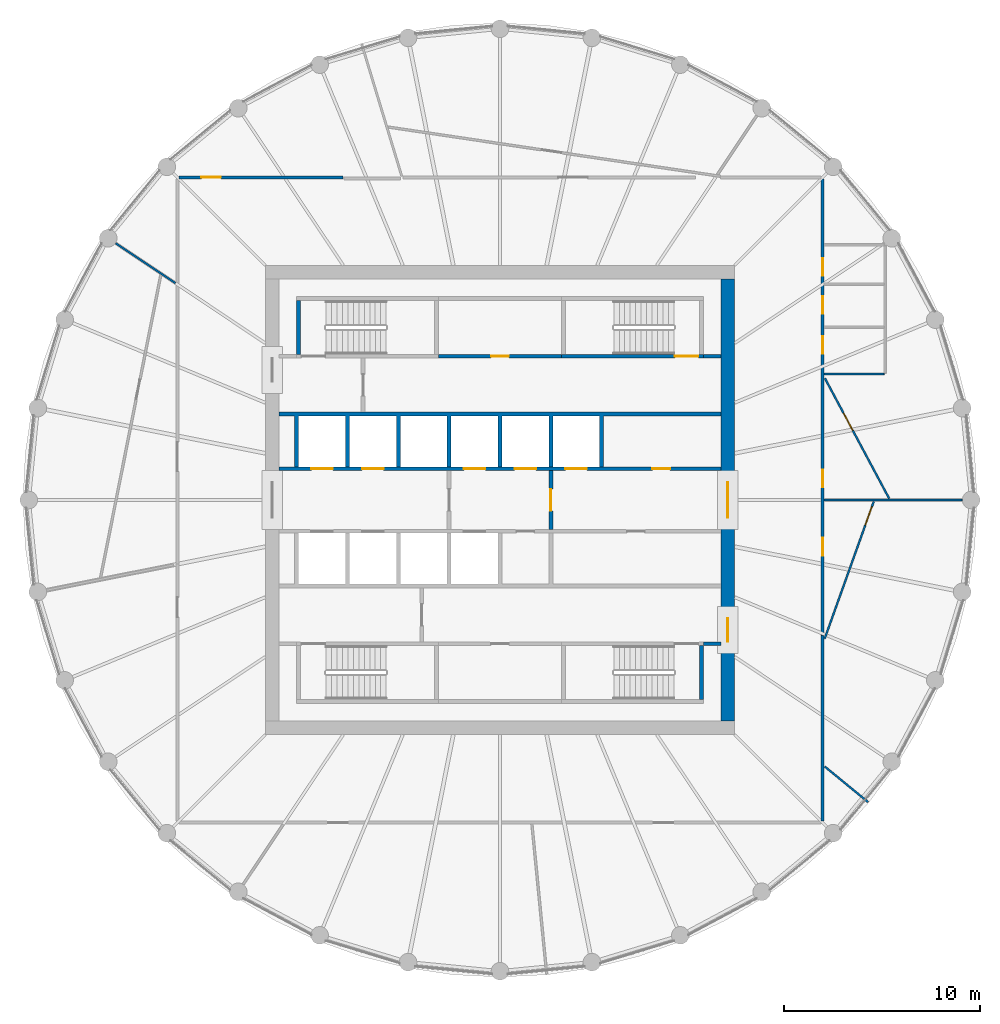
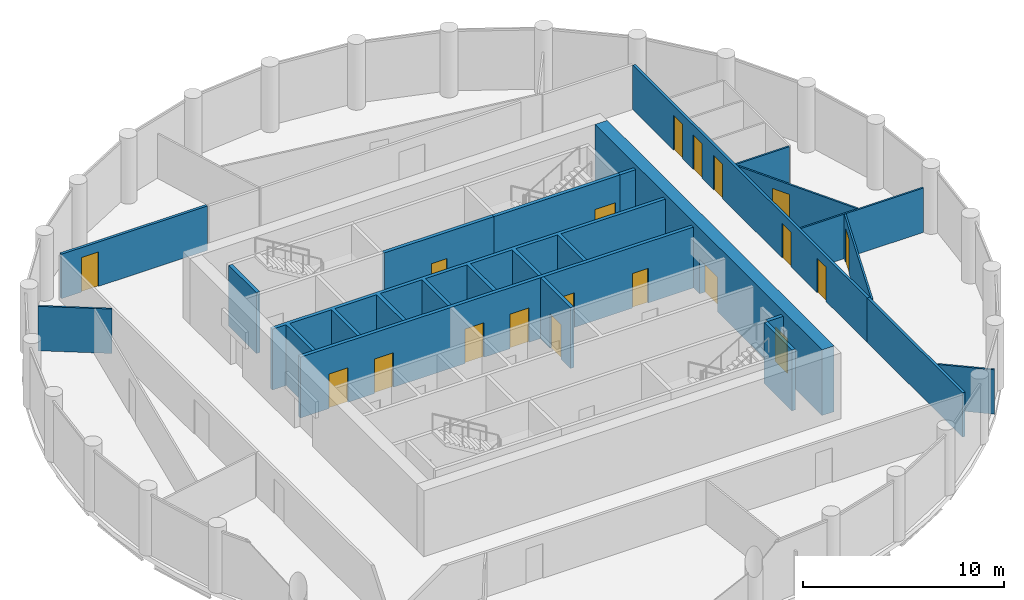
# One storey, part 5 of 7: 19 doors, 19 walls, 19 openings.
"""IFC4 building model written with IfcOpenShell, lengths in metres."""

from ifc_helpers import new_model, si_unit, direction, frame, frame_2d, origin, place, context, subcontext, project, spatial, polyline, rectangle, outline, extrude, material, layer, layer_set, type_object, element, fill, save


model = new_model("IFC4")

# Units and contexts
model_context = context("Model", 3, precision=1e-05, world=origin(), true_north=direction((0.0, 1.0)))
body_context = subcontext(model_context, "Body", "Model", "MODEL_VIEW")
ifc_project = project(units=[si_unit("LENGTHUNIT", "METRE"), si_unit("AREAUNIT", "SQUARE_METRE"), si_unit("VOLUMEUNIT", "CUBIC_METRE"), si_unit("PLANEANGLEUNIT", "RADIAN"), si_unit("MASSUNIT", "GRAM", prefix="KILO")], contexts=[model_context])

# Site, building, storey
site_placement = place(None, origin())
site = spatial("IfcSite", under=ifc_project, at=site_placement, CompositionType="ELEMENT")
building_placement = place(site_placement, origin())
building = spatial("IfcBuilding", under=site, at=building_placement, Name="Corvane Civic Tower", CompositionType="ELEMENT")
storey_placement = place(building_placement, frame((0.0, 0.0, 287.0)))
storey = spatial("IfcBuildingStorey", under=building, at=storey_placement, Name="L68", CompositionType="ELEMENT", Elevation=287.0)

# Wall, openings, doors
ifc_material_1 = material(Name="Concrete C40/50", Category="concrete")
ifc_layer_1 = layer(ifc_material_1, 0.699951171875)
ifc_layer_set_1 = layer_set([ifc_layer_1], Name="Concrete C40/50")
wall_type_1 = type_object("IfcWallType", Name="CORE WALL 700 C40/50", PredefinedType="SHEAR", material=ifc_layer_set_1)
wall_1_placement = place(storey_placement, frame((11.64990234375, -11.300048828125, 0.0), z_axis=(0.0, 0.0, 1.0), x_axis=(0.0, 1.0, 0.0)))
wall_1 = element("IfcWall", 1, at=wall_1_placement, inside=storey, type_object=wall_type_1, Name="W-L68-core-E", PredefinedType="SHEAR", context=body_context, shape_type="SweptSolid", body=[
    extrude(rectangle(XDim=22.60009765625, YDim=0.699951171875, at=frame_2d((11.300048828125, 0.0))), origin(), (0.0, 0.0, 1.0), 4.0),
])
opening_1_placement = place(wall_1_placement, frame((10.39990234375, 0.0, 0.0)))
opening_1 = element("IfcOpeningElement", 2, at=opening_1_placement, cuts=wall_1, Name="Opening L68.C15", PredefinedType="OPENING", context=body_context, shape_type="SweptSolid", body=[
    extrude(rectangle(XDim=1.800048828125, YDim=2.10009765625, at=frame_2d((0.89990234375, 1.050048828125))), frame((0.0, 0.35986328125, 0.0), z_axis=(0.0, -1.0, 0.0), x_axis=(1.0, 0.0, 0.0)), (0.0, 0.0, 1.0), 0.719970703125),
])
opening_2_placement = place(wall_1_placement, frame((4.050048828125, 0.0, 0.0)))
opening_2 = element("IfcOpeningElement", 3, at=opening_2_placement, cuts=wall_1, Name="Opening L68.C17", PredefinedType="OPENING", context=body_context, shape_type="SweptSolid", body=[
    extrude(rectangle(XDim=1.199951171875, YDim=2.10009765625, at=frame_2d((0.60009765625, 1.050048828125))), frame((0.0, 0.35986328125, 0.0), z_axis=(0.0, -1.0, 0.0), x_axis=(1.0, 0.0, 0.0)), (0.0, 0.0, 1.0), 0.719970703125),
])
ifc_material_2 = material(Name="Steel fire door leaf", Category="steel")
door_type_1 = type_object("IfcDoorType", Name="CR-DOOR-CORE-1800", OperationType="DOUBLE_DOOR_SINGLE_SWING", PredefinedType="DOOR", material=ifc_material_2)
door_1_placement = place(opening_1_placement, origin())
door_1 = element("IfcDoor", 4, at=door_1_placement, inside=storey, type_object=door_type_1, Name="L68 door", OperationType="DOUBLE_DOOR_SINGLE_SWING", OverallHeight=2.10009765625, OverallWidth=1.800048828125, PredefinedType="DOOR", context=body_context, shape_type="SweptSolid", body=[
    extrude(rectangle(XDim=1.800048828125, YDim=2.10009765625, at=frame_2d((0.89990234375, 1.050048828125))), frame((0.0, 0.02490234375, 0.0), z_axis=(0.0, -1.0, 0.0), x_axis=(1.0, 0.0, 0.0)), (0.0, 0.0, 1.0), 0.050048828125),
])
fill(opening_1, door_1)
door_2_placement = place(opening_2_placement, origin())
door_2 = element("IfcDoor", 5, at=door_2_placement, inside=storey, type_object=door_type_1, Name="L68 door", OperationType="DOUBLE_DOOR_SINGLE_SWING", OverallHeight=2.10009765625, OverallWidth=1.199951171875, PredefinedType="DOOR", context=body_context, shape_type="SweptSolid", body=[
    extrude(rectangle(XDim=1.199951171875, YDim=2.10009765625, at=frame_2d((0.60009765625, 1.050048828125))), frame((0.0, 0.02490234375, 0.0), z_axis=(0.0, -1.0, 0.0), x_axis=(1.0, 0.0, 0.0)), (0.0, 0.0, 1.0), 0.050048828125),
])
fill(opening_2, door_2)

ifc_material_3 = material(Name="Concrete C30/37", Category="concrete")
ifc_layer_2 = layer(ifc_material_3, 0.199951171875)
ifc_layer_set_2 = layer_set([ifc_layer_2], Name="Concrete C30/37")
wall_type_2 = type_object("IfcWallType", Name="CR-WALL-200", PredefinedType="PARTITIONING", material=ifc_layer_set_2)
wall_2_placement = place(storey_placement, frame((-11.300048828125, 1.60009765625, 0.0), z_axis=(0.0, 0.0, 1.0), x_axis=(1.0, 0.0, 0.0)))
wall_2 = element("IfcWall", 6, at=wall_2_placement, inside=storey, type_object=wall_type_2, Name="L68 lift shaft wall", PredefinedType="PARTITIONING", context=body_context, shape_type="SweptSolid", body=[
    extrude(rectangle(XDim=22.60009765625, YDim=0.199951171875, at=frame_2d((11.300048828125, 0.0))), origin(), (0.0, 0.0, 1.0), 3.699951171875),
])
opening_3_placement = place(wall_2_placement, frame((1.64990234375, 0.0, 0.0)))
opening_3 = element("IfcOpeningElement", 7, at=opening_3_placement, cuts=wall_2, Name="Opening LD", PredefinedType="OPENING", context=body_context, shape_type="SweptSolid", body=[
    extrude(rectangle(XDim=1.10009765625, YDim=2.10009765625, at=frame_2d((0.550048828125, 1.050048828125))), frame((0.0, 0.10986328125, 0.0), z_axis=(0.0, -1.0, 0.0), x_axis=(1.0, 0.0, 0.0)), (0.0, 0.0, 1.0), 0.219970703125),
])
opening_4_placement = place(wall_2_placement, frame((4.25, 0.0, 0.0)))
opening_4 = element("IfcOpeningElement", 8, at=opening_4_placement, cuts=wall_2, Name="Opening LD", PredefinedType="OPENING", context=body_context, shape_type="SweptSolid", body=[
    extrude(rectangle(XDim=1.10009765625, YDim=2.10009765625, at=frame_2d((0.550048828125, 1.050048828125))), frame((0.0, 0.10986328125, 0.0), z_axis=(0.0, -1.0, 0.0), x_axis=(1.0, 0.0, 0.0)), (0.0, 0.0, 1.0), 0.219970703125),
])
opening_5_placement = place(wall_2_placement, frame((9.449951171875, 0.0, 0.0)))
opening_5 = element("IfcOpeningElement", 9, at=opening_5_placement, cuts=wall_2, Name="Opening LD", PredefinedType="OPENING", context=body_context, shape_type="SweptSolid", body=[
    extrude(rectangle(XDim=1.10009765625, YDim=2.10009765625, at=frame_2d((0.550048828125, 1.050048828125))), frame((0.0, 0.10986328125, 0.0), z_axis=(0.0, -1.0, 0.0), x_axis=(1.0, 0.0, 0.0)), (0.0, 0.0, 1.0), 0.219970703125),
])
opening_6_placement = place(wall_2_placement, frame((12.050048828125, 0.0, 0.0)))
opening_6 = element("IfcOpeningElement", 10, at=opening_6_placement, cuts=wall_2, Name="Opening LD", PredefinedType="OPENING", context=body_context, shape_type="SweptSolid", body=[
    extrude(rectangle(XDim=1.10009765625, YDim=2.10009765625, at=frame_2d((0.550048828125, 1.050048828125))), frame((0.0, 0.10986328125, 0.0), z_axis=(0.0, -1.0, 0.0), x_axis=(1.0, 0.0, 0.0)), (0.0, 0.0, 1.0), 0.219970703125),
])
opening_7_placement = place(wall_2_placement, frame((14.64990234375, 0.0, 0.0)))
opening_7 = element("IfcOpeningElement", 11, at=opening_7_placement, cuts=wall_2, Name="Opening LD", PredefinedType="OPENING", context=body_context, shape_type="SweptSolid", body=[
    extrude(rectangle(XDim=1.10009765625, YDim=2.10009765625, at=frame_2d((0.550048828125, 1.050048828125))), frame((0.0, 0.10986328125, 0.0), z_axis=(0.0, -1.0, 0.0), x_axis=(1.0, 0.0, 0.0)), (0.0, 0.0, 1.0), 0.219970703125),
])
opening_8_placement = place(wall_2_placement, frame((19.10009765625, 0.0, 0.0)))
opening_8 = element("IfcOpeningElement", 12, at=opening_8_placement, cuts=wall_2, Name="Opening L68.C01", PredefinedType="OPENING", context=body_context, shape_type="SweptSolid", body=[
    extrude(rectangle(XDim=0.89990234375, YDim=2.10009765625, at=frame_2d((0.449951171875, 1.050048828125))), frame((0.0, 0.10986328125, 0.0), z_axis=(0.0, -1.0, 0.0), x_axis=(1.0, 0.0, 0.0)), (0.0, 0.0, 1.0), 0.219970703125),
])
ifc_material_4 = material(Name="Steel fire door leaf", Category="steel")
door_type_2 = type_object("IfcDoorType", Name="CR-DOOR-900", OperationType="SINGLE_SWING_LEFT", PredefinedType="DOOR", material=ifc_material_4)
door_3_placement = place(opening_8_placement, origin())
door_3 = element("IfcDoor", 13, at=door_3_placement, inside=storey, type_object=door_type_2, Name="L68 door", OperationType="SINGLE_SWING_LEFT", OverallHeight=2.10009765625, OverallWidth=0.89990234375, PredefinedType="DOOR", context=body_context, shape_type="SweptSolid", body=[
    extrude(rectangle(XDim=0.89990234375, YDim=2.10009765625, at=frame_2d((0.449951171875, 1.050048828125))), frame((0.0, 0.02490234375, 0.0), z_axis=(0.0, -1.0, 0.0), x_axis=(1.0, 0.0, 0.0)), (0.0, 0.0, 1.0), 0.050048828125),
])
fill(opening_8, door_3)
ifc_material_5 = material(Name="Stainless steel 316 door leaves", Category="steel")
door_type_3 = type_object("IfcDoorType", Name="LD", OperationType="DOUBLE_DOOR_SLIDING", PredefinedType="DOOR", material=ifc_material_5)
door_4_placement = place(opening_3_placement, origin())
door_4 = element("IfcDoor", 14, at=door_4_placement, inside=storey, type_object=door_type_3, Name="L68 landing door", OperationType="DOUBLE_DOOR_SLIDING", OverallHeight=2.10009765625, OverallWidth=1.10009765625, PredefinedType="DOOR", context=body_context, shape_type="SweptSolid", body=[
    extrude(rectangle(XDim=1.10009765625, YDim=2.10009765625, at=frame_2d((0.550048828125, 1.050048828125))), frame((0.0, 0.02490234375, 0.0), z_axis=(0.0, -1.0, 0.0), x_axis=(1.0, 0.0, 0.0)), (0.0, 0.0, 1.0), 0.050048828125),
])
fill(opening_3, door_4)
door_5_placement = place(opening_4_placement, origin())
door_5 = element("IfcDoor", 15, at=door_5_placement, inside=storey, type_object=door_type_3, Name="L68 landing door", OperationType="DOUBLE_DOOR_SLIDING", OverallHeight=2.10009765625, OverallWidth=1.10009765625, PredefinedType="DOOR", context=body_context, shape_type="SweptSolid", body=[
    extrude(rectangle(XDim=1.10009765625, YDim=2.10009765625, at=frame_2d((0.550048828125, 1.050048828125))), frame((0.0, 0.02490234375, 0.0), z_axis=(0.0, -1.0, 0.0), x_axis=(1.0, 0.0, 0.0)), (0.0, 0.0, 1.0), 0.050048828125),
])
fill(opening_4, door_5)
door_6_placement = place(opening_5_placement, origin())
door_6 = element("IfcDoor", 16, at=door_6_placement, inside=storey, type_object=door_type_3, Name="L68 landing door", OperationType="DOUBLE_DOOR_SLIDING", OverallHeight=2.10009765625, OverallWidth=1.10009765625, PredefinedType="DOOR", context=body_context, shape_type="SweptSolid", body=[
    extrude(rectangle(XDim=1.10009765625, YDim=2.10009765625, at=frame_2d((0.550048828125, 1.050048828125))), frame((0.0, 0.02490234375, 0.0), z_axis=(0.0, -1.0, 0.0), x_axis=(1.0, 0.0, 0.0)), (0.0, 0.0, 1.0), 0.050048828125),
])
fill(opening_5, door_6)
door_7_placement = place(opening_6_placement, origin())
door_7 = element("IfcDoor", 17, at=door_7_placement, inside=storey, type_object=door_type_3, Name="L68 landing door", OperationType="DOUBLE_DOOR_SLIDING", OverallHeight=2.10009765625, OverallWidth=1.10009765625, PredefinedType="DOOR", context=body_context, shape_type="SweptSolid", body=[
    extrude(rectangle(XDim=1.10009765625, YDim=2.10009765625, at=frame_2d((0.550048828125, 1.050048828125))), frame((0.0, 0.02490234375, 0.0), z_axis=(0.0, -1.0, 0.0), x_axis=(1.0, 0.0, 0.0)), (0.0, 0.0, 1.0), 0.050048828125),
])
fill(opening_6, door_7)
door_8_placement = place(opening_7_placement, origin())
door_8 = element("IfcDoor", 18, at=door_8_placement, inside=storey, type_object=door_type_3, Name="L68 landing door", OperationType="DOUBLE_DOOR_SLIDING", OverallHeight=2.10009765625, OverallWidth=1.10009765625, PredefinedType="DOOR", context=body_context, shape_type="SweptSolid", body=[
    extrude(rectangle(XDim=1.10009765625, YDim=2.10009765625, at=frame_2d((0.550048828125, 1.050048828125))), frame((0.0, 0.02490234375, 0.0), z_axis=(0.0, -1.0, 0.0), x_axis=(1.0, 0.0, 0.0)), (0.0, 0.0, 1.0), 0.050048828125),
])
fill(opening_7, door_8)

# Wall, opening, door
wall_3_placement = place(storey_placement, frame((-3.14990234375, 7.35009765625, 0.0), z_axis=(0.0, 0.0, 1.0), x_axis=(1.0, 0.0, 0.0)))
wall_3 = element("IfcWall", 19, at=wall_3_placement, inside=storey, type_object=wall_type_2, Name="L68 core partition wall", PredefinedType="PARTITIONING", context=body_context, shape_type="SweptSolid", body=[
    extrude(rectangle(XDim=6.2998046875, YDim=0.199951171875, at=frame_2d((3.14990234375, 0.0))), origin(), (0.0, 0.0, 1.0), 3.699951171875),
])
opening_9_placement = place(wall_3_placement, frame((2.699951171875, 0.0, 0.0)))
opening_9 = element("IfcOpeningElement", 20, at=opening_9_placement, cuts=wall_3, Name="Opening L68.C04", PredefinedType="OPENING", context=body_context, shape_type="SweptSolid", body=[
    extrude(rectangle(XDim=0.89990234375, YDim=2.10009765625, at=frame_2d((0.449951171875, 1.050048828125))), frame((0.0, 0.10986328125, 0.0), z_axis=(0.0, -1.0, 0.0), x_axis=(1.0, 0.0, 0.0)), (0.0, 0.0, 1.0), 0.219970703125),
])
door_9_placement = place(opening_9_placement, origin())
door_9 = element("IfcDoor", 21, at=door_9_placement, inside=storey, type_object=door_type_2, Name="L68 door", OperationType="SINGLE_SWING_LEFT", OverallHeight=2.10009765625, OverallWidth=0.89990234375, PredefinedType="DOOR", context=body_context, shape_type="SweptSolid", body=[
    extrude(rectangle(XDim=0.89990234375, YDim=2.10009765625, at=frame_2d((0.449951171875, 1.050048828125))), frame((0.0, 0.02490234375, 0.0), z_axis=(0.0, -1.0, 0.0), x_axis=(1.0, 0.0, 0.0)), (0.0, 0.0, 1.0), 0.050048828125),
])
fill(opening_9, door_9)

wall_4_placement = place(storey_placement, frame((2.60009765625, -1.5, 0.0), z_axis=(0.0, 0.0, 1.0), x_axis=(0.0, 1.0, 0.0)))
wall_4 = element("IfcWall", 22, at=wall_4_placement, inside=storey, type_object=wall_type_2, Name="L68 firefighting lobby wall", PredefinedType="PARTITIONING", context=body_context, shape_type="SweptSolid", body=[
    extrude(rectangle(XDim=3.0, YDim=0.199951171875, at=frame_2d((1.5, 0.0))), origin(), (0.0, 0.0, 1.0), 3.699951171875),
])
opening_10_placement = place(wall_4_placement, frame((0.949951171875, 0.0, 0.0)))
opening_10 = element("IfcOpeningElement", 23, at=opening_10_placement, cuts=wall_4, Name="Opening L68.C11", PredefinedType="OPENING", context=body_context, shape_type="SweptSolid", body=[
    extrude(rectangle(XDim=1.10009765625, YDim=2.10009765625, at=frame_2d((0.550048828125, 1.050048828125))), frame((0.0, 0.10986328125, 0.0), z_axis=(0.0, -1.0, 0.0), x_axis=(1.0, 0.0, 0.0)), (0.0, 0.0, 1.0), 0.219970703125),
])
ifc_material_6 = material(Name="Steel fire door leaf", Category="steel")
door_type_4 = type_object("IfcDoorType", Name="CR-DOOR-FFL-1100", OperationType="SINGLE_SWING_LEFT", PredefinedType="DOOR", material=ifc_material_6)
door_10_placement = place(opening_10_placement, origin())
door_10 = element("IfcDoor", 24, at=door_10_placement, inside=storey, type_object=door_type_4, Name="L68 lobby door", OperationType="SINGLE_SWING_LEFT", OverallHeight=2.10009765625, OverallWidth=1.10009765625, PredefinedType="DOOR", context=body_context, shape_type="SweptSolid", body=[
    extrude(rectangle(XDim=1.10009765625, YDim=2.10009765625, at=frame_2d((0.550048828125, 1.050048828125))), frame((0.0, 0.02490234375, 0.0), z_axis=(0.0, -1.0, 0.0), x_axis=(1.0, 0.0, 0.0)), (0.0, 0.0, 1.0), 0.050048828125),
])
fill(opening_10, door_10)

# Walls
wall_5_placement = place(storey_placement, origin())
element("IfcWall", 25, at=wall_5_placement, inside=storey, type_object=wall_type_2, Name="L68 core partition wall", PredefinedType="PARTITIONING", context=body_context, shape_type="SweptSolid", body=[
    extrude(outline(polyline([(-10.300048828125, 1.699951171875), (-10.5, 1.699951171875), (-10.5, 4.300048828125), (-11.300048828125, 4.300048828125), (-11.300048828125, 4.5), (11.300048828125, 4.5), (11.300048828125, 4.300048828125), (5.300048828125, 4.300048828125), (5.300048828125, 1.699951171875), (5.10009765625, 1.699951171875), (5.10009765625, 4.300048828125), (2.699951171875, 4.300048828125), (2.699951171875, 1.699951171875), (2.5, 1.699951171875), (2.5, 4.300048828125), (0.10009765625, 4.300048828125), (0.10009765625, 1.699951171875), (-0.10009765625, 1.699951171875), (-0.10009765625, 4.300048828125), (-2.5, 4.300048828125), (-2.5, 1.699951171875), (-2.699951171875, 1.699951171875), (-2.699951171875, 4.300048828125), (-5.10009765625, 4.300048828125), (-5.10009765625, 1.699951171875), (-5.300048828125, 1.699951171875), (-5.300048828125, 4.300048828125), (-7.699951171875, 4.300048828125), (-7.699951171875, 1.699951171875), (-7.89990234375, 1.699951171875), (-7.89990234375, 4.300048828125), (-10.300048828125, 4.300048828125), (-10.300048828125, 1.699951171875)])), origin(), (0.0, 0.0, 1.0), 3.699951171875),
])
wall_6_placement = place(storey_placement, origin())
element("IfcWall", 26, at=wall_6_placement, inside=storey, type_object=wall_type_2, Name="L68 core partition wall", PredefinedType="PARTITIONING", context=body_context, shape_type="SweptSolid", body=[
    extrude(outline(polyline([(11.300048828125, -7.449951171875), (10.39990234375, -7.449951171875), (10.39990234375, -7.25), (11.300048828125, -7.25), (11.300048828125, -7.449951171875)])), origin(), (0.0, 0.0, 1.0), 3.699951171875),
])
wall_7_placement = place(storey_placement, origin())
element("IfcWall", 27, at=wall_7_placement, inside=storey, type_object=wall_type_2, Name="L68 core partition wall", PredefinedType="PARTITIONING", context=body_context, shape_type="SweptSolid", body=[
    extrude(outline(polyline([(11.300048828125, 7.25), (10.39990234375, 7.25), (10.39990234375, 7.449951171875), (11.300048828125, 7.449951171875), (11.300048828125, 7.25)])), origin(), (0.0, 0.0, 1.0), 3.699951171875),
])
ifc_material_7 = material(Name="Plasterboard")
ifc_layer_3 = layer(ifc_material_7, 0.10009765625)
ifc_layer_set_3 = layer_set([ifc_layer_3], Name="Plasterboard")
wall_type_3 = type_object("IfcWallType", Name="Partition 100 plasterboard on studs", PredefinedType="PARTITIONING", material=ifc_layer_set_3)
wall_8_placement = place(storey_placement, frame((16.606689453125, -13.62890625, 0.0), z_axis=(0.0, 0.0, 1.0), x_axis=(0.773057309147, -0.634336185926, 0.0)))
element("IfcWall", 28, at=wall_8_placement, inside=storey, type_object=wall_type_3, Name="Partition L68.006", PredefinedType="PARTITIONING", context=body_context, shape_type="SweptSolid", body=[
    extrude(rectangle(XDim=2.866943359375, YDim=0.10009765625, at=frame_2d((1.43359375, 0.0))), origin(), (0.0, 0.0, 1.0), 2.699951171875),
])

# Wall, opening, door
wall_9_placement = place(storey_placement, frame((16.605224609375, -7.09521484375, 0.0), z_axis=(0.0, 0.0, 1.0), x_axis=(0.336904028369, 0.941538993175, 0.0)))
wall_9 = element("IfcWall", 29, at=wall_9_placement, inside=storey, type_object=wall_type_3, Name="Partition L68.007", PredefinedType="PARTITIONING", context=body_context, shape_type="SweptSolid", body=[
    extrude(rectangle(XDim=7.464599609375, YDim=0.10009765625, at=frame_2d((3.732421875, 0.0))), origin(), (0.0, 0.0, 1.0), 2.699951171875),
])
opening_11_placement = place(wall_9_placement, frame((6.17333984375, 0.0, 0.0)))
opening_11 = element("IfcOpeningElement", 30, at=opening_11_placement, cuts=wall_9, Name="Opening L68.006", PredefinedType="OPENING", context=body_context, shape_type="SweptSolid", body=[
    extrude(rectangle(XDim=1.0, YDim=2.10009765625, at=frame_2d((0.5, 1.050048828125))), frame((0.0, 0.06005859375, 0.0), z_axis=(0.0, -1.0, 0.0), x_axis=(1.0, 0.0, 0.0)), (0.0, 0.0, 1.0), 0.1201171875),
])
ifc_material_8 = material(Name="Timber", Category="wood")
door_type_5 = type_object("IfcDoorType", Name="Single door 1000", OperationType="NOTDEFINED", PredefinedType="DOOR", material=ifc_material_8)
door_11_placement = place(opening_11_placement, frame((1.0, 0.0, 0.0), z_axis=(0.0, 0.0, 1.0), x_axis=(-1.0, 0.0, 0.0)))
door_11 = element("IfcDoor", 31, at=door_11_placement, inside=storey, type_object=door_type_5, Name="Door L68.006", OperationType="SINGLE_SWING_LEFT", OverallHeight=2.10009765625, OverallWidth=1.0, PredefinedType="DOOR", context=body_context, shape_type="SweptSolid", body=[
    extrude(rectangle(XDim=1.0, YDim=2.10009765625, at=frame_2d((0.5, 1.050048828125))), frame((0.0, 0.02490234375, 0.0), z_axis=(0.0, -1.0, 0.0), x_axis=(1.0, 0.0, 0.0)), (0.0, 0.0, 1.0), 0.050048828125),
])
fill(opening_11, door_11)

# Wall
wall_10_placement = place(storey_placement, frame((16.574951171875, 0.0, 0.0), z_axis=(0.0, 0.0, 1.0), x_axis=(1.0, 0.0, 0.0)))
element("IfcWall", 32, at=wall_10_placement, inside=storey, type_object=wall_type_3, Name="Partition L68.012", PredefinedType="PARTITIONING", context=body_context, shape_type="SweptSolid", body=[
    extrude(rectangle(XDim=7.065185546875, YDim=0.10009765625, at=frame_2d((3.53271484375, 0.0))), origin(), (0.0, 0.0, 1.0), 2.699951171875),
])

# Wall, opening, door
wall_11_placement = place(storey_placement, frame((16.619140625, 6.22216796875, 0.0), z_axis=(0.0, 0.0, 1.0), x_axis=(0.471378680007, -0.881930915681, 0.0)))
wall_11 = element("IfcWall", 33, at=wall_11_placement, inside=storey, type_object=wall_type_3, Name="Partition L68.013", PredefinedType="PARTITIONING", context=body_context, shape_type="SweptSolid", body=[
    extrude(rectangle(XDim=6.971923828125, YDim=0.10009765625, at=frame_2d((3.48583984375, 0.0))), origin(), (0.0, 0.0, 1.0), 2.699951171875),
])
opening_12_placement = place(wall_11_placement, frame((2.0166015625, 0.0, 0.0)))
opening_12 = element("IfcOpeningElement", 34, at=opening_12_placement, cuts=wall_11, Name="Opening L68.001", PredefinedType="OPENING", context=body_context, shape_type="SweptSolid", body=[
    extrude(rectangle(XDim=1.0, YDim=2.10009765625, at=frame_2d((0.5, 1.050048828125))), frame((0.0, 0.06005859375, 0.0), z_axis=(0.0, -1.0, 0.0), x_axis=(1.0, 0.0, 0.0)), (0.0, 0.0, 1.0), 0.1201171875),
])
door_12_placement = place(opening_12_placement, origin())
door_12 = element("IfcDoor", 35, at=door_12_placement, inside=storey, type_object=door_type_5, Name="Door L68.001", OperationType="SINGLE_SWING_RIGHT", OverallHeight=2.10009765625, OverallWidth=1.0, PredefinedType="DOOR", context=body_context, shape_type="SweptSolid", body=[
    extrude(rectangle(XDim=1.0, YDim=2.10009765625, at=frame_2d((0.5, 1.050048828125))), frame((0.0, 0.02490234375, 0.0), z_axis=(0.0, -1.0, 0.0), x_axis=(1.0, 0.0, 0.0)), (0.0, 0.0, 1.0), 0.050048828125),
])
fill(opening_12, door_12)

# Walls
wall_12_placement = place(storey_placement, frame((16.58349609375, 6.445068359375, 0.0), z_axis=(0.0, 0.0, 1.0), x_axis=(1.0, 0.0, 0.0)))
element("IfcWall", 36, at=wall_12_placement, inside=storey, type_object=wall_type_3, Name="Partition L68.014", PredefinedType="PARTITIONING", context=body_context, shape_type="SweptSolid", body=[
    extrude(rectangle(XDim=3.06640625, YDim=0.10009765625, at=frame_2d((1.533203125, 0.0))), origin(), (0.0, 0.0, 1.0), 2.699951171875),
])
wall_13_placement = place(storey_placement, frame((-19.656005859375, 13.133544921875, 0.0), z_axis=(0.0, 0.0, 1.0), x_axis=(0.831477046095, -0.555559107402, 0.0)))
element("IfcWall", 37, at=wall_13_placement, inside=storey, type_object=wall_type_3, Name="Partition L68.018", PredefinedType="PARTITIONING", context=body_context, shape_type="SweptSolid", body=[
    extrude(rectangle(XDim=3.672119140625, YDim=0.10009765625, at=frame_2d((1.8359375, 0.0))), origin(), (0.0, 0.0, 1.0), 2.699951171875),
])

# Wall, opening, door
ifc_material_9 = material(Name="Concrete C50/60", Category="concrete")
ifc_layer_4 = layer(ifc_material_9, 0.199951171875)
ifc_layer_set_4 = layer_set([ifc_layer_4], Name="Concrete C50/60")
wall_type_4 = type_object("IfcWallType", Name="ST-WALL-200", PredefinedType="SHEAR", material=ifc_layer_set_4)
wall_14_placement = place(storey_placement, frame((3.14990234375, 7.35009765625, 0.0), z_axis=(0.0, 0.0, 1.0), x_axis=(1.0, 0.0, 0.0)))
wall_14 = element("IfcWall", 38, at=wall_14_placement, inside=storey, type_object=wall_type_4, Name="L68 stair enclosure wall", PredefinedType="SHEAR", context=body_context, shape_type="SweptSolid", body=[
    extrude(rectangle(XDim=7.25, YDim=0.199951171875, at=frame_2d((3.625, 0.0))), origin(), (0.0, 0.0, 1.0), 3.699951171875),
])
opening_13_placement = place(wall_14_placement, frame((5.800048828125, 0.0, 0.0)))
opening_13 = element("IfcOpeningElement", 39, at=opening_13_placement, cuts=wall_14, Name="Opening L68.C06", PredefinedType="OPENING", context=body_context, shape_type="SweptSolid", body=[
    extrude(rectangle(XDim=1.199951171875, YDim=2.10009765625, at=frame_2d((0.60009765625, 1.050048828125))), frame((0.0, 0.10986328125, 0.0), z_axis=(0.0, -1.0, 0.0), x_axis=(1.0, 0.0, 0.0)), (0.0, 0.0, 1.0), 0.219970703125),
])
ifc_material_10 = material(Name="Steel fire door leaf", Category="steel")
door_type_6 = type_object("IfcDoorType", Name="ST-DOOR-1200", OperationType="SINGLE_SWING_RIGHT", PredefinedType="DOOR", material=ifc_material_10)
door_13_placement = place(opening_13_placement, origin())
door_13 = element("IfcDoor", 40, at=door_13_placement, inside=storey, type_object=door_type_6, Name="L68 stair door", OperationType="SINGLE_SWING_RIGHT", OverallHeight=2.10009765625, OverallWidth=1.199951171875, PredefinedType="DOOR", context=body_context, shape_type="SweptSolid", body=[
    extrude(rectangle(XDim=1.199951171875, YDim=2.10009765625, at=frame_2d((0.60009765625, 1.050048828125))), frame((0.0, 0.02490234375, 0.0), z_axis=(0.0, -1.0, 0.0), x_axis=(1.0, 0.0, 0.0)), (0.0, 0.0, 1.0), 0.050048828125),
])
fill(opening_13, door_13)

# Walls
wall_15_placement = place(storey_placement, origin())
element("IfcWall", 41, at=wall_15_placement, inside=storey, type_object=wall_type_4, Name="L68 stair enclosure wall", PredefinedType="SHEAR", context=body_context, shape_type="SweptSolid", body=[
    extrude(outline(polyline([(-10.199951171875, 7.449951171875), (-10.39990234375, 7.449951171875), (-10.39990234375, 10.199951171875), (-10.199951171875, 10.199951171875), (-10.199951171875, 7.449951171875)])), origin(), (0.0, 0.0, 1.0), 3.699951171875),
])
wall_16_placement = place(storey_placement, origin())
element("IfcWall", 42, at=wall_16_placement, inside=storey, type_object=wall_type_4, Name="L68 stair enclosure wall", PredefinedType="SHEAR", context=body_context, shape_type="SweptSolid", body=[
    extrude(outline(polyline([(10.39990234375, -7.449951171875), (10.39990234375, -10.199951171875), (10.199951171875, -10.199951171875), (10.199951171875, -7.449951171875), (10.39990234375, -7.449951171875)])), origin(), (0.0, 0.0, 1.0), 3.699951171875),
])
ifc_material_11 = material(Name="Plasterboard")
ifc_layer_5 = layer(ifc_material_11, 0.14990234375)
ifc_layer_set_5 = layer_set([ifc_layer_5], Name="Plasterboard")
wall_type_5 = type_object("IfcWallType", Name="Tenancy wall 150 EI 60", PredefinedType="PARTITIONING", material=ifc_layer_set_5)
wall_17_placement = place(storey_placement, frame((16.5, -16.425048828125, 0.0), z_axis=(0.0, 0.0, 1.0), x_axis=(0.0, 1.0, 0.0)))
element("IfcWall", 43, at=wall_17_placement, inside=storey, type_object=wall_type_5, Name="Partition L68.005", PredefinedType="PARTITIONING", context=body_context, shape_type="SweptSolid", body=[
    extrude(rectangle(XDim=9.50244140625, YDim=0.14990234375, at=frame_2d((4.751220703125, 0.0))), origin(), (0.0, 0.0, 1.0), 2.699951171875),
])

# Wall, openings, doors
wall_18_placement = place(storey_placement, frame((16.5, -6.922607421875, 0.0), z_axis=(0.0, 0.0, 1.0), x_axis=(0.0, 1.0, 0.0)))
wall_18 = element("IfcWall", 44, at=wall_18_placement, inside=storey, type_object=wall_type_5, Name="Partition L68.008", PredefinedType="PARTITIONING", context=body_context, shape_type="SweptSolid", body=[
    extrude(rectangle(XDim=23.34765625, YDim=0.14990234375, at=frame_2d((11.673828125, 0.0))), origin(), (0.0, 0.0, 1.0), 2.699951171875),
])
opening_14_placement = place(wall_18_placement, frame((7.580078125, 0.0, 0.0)))
opening_14 = element("IfcOpeningElement", 45, at=opening_14_placement, cuts=wall_18, Name="Opening L68.002", PredefinedType="OPENING", context=body_context, shape_type="SweptSolid", body=[
    extrude(rectangle(XDim=0.89990234375, YDim=2.10009765625, at=frame_2d((0.449951171875, 1.050048828125))), frame((0.0, 0.0849609375, 0.0), z_axis=(0.0, -1.0, 0.0), x_axis=(1.0, 0.0, 0.0)), (0.0, 0.0, 1.0), 0.169921875),
])
opening_15_placement = place(wall_18_placement, frame((14.396240234375, 0.0, 0.0)))
opening_15 = element("IfcOpeningElement", 46, at=opening_15_placement, cuts=wall_18, Name="Opening L68.003", PredefinedType="OPENING", context=body_context, shape_type="SweptSolid", body=[
    extrude(rectangle(XDim=0.89990234375, YDim=2.10009765625, at=frame_2d((0.449951171875, 1.050048828125))), frame((0.0, 0.0849609375, 0.0), z_axis=(0.0, -1.0, 0.0), x_axis=(1.0, 0.0, 0.0)), (0.0, 0.0, 1.0), 0.169921875),
])
opening_16_placement = place(wall_18_placement, frame((16.440673828125, 0.0, 0.0)))
opening_16 = element("IfcOpeningElement", 47, at=opening_16_placement, cuts=wall_18, Name="Opening L68.004", PredefinedType="OPENING", context=body_context, shape_type="SweptSolid", body=[
    extrude(rectangle(XDim=0.89990234375, YDim=2.10009765625, at=frame_2d((0.449951171875, 1.050048828125))), frame((0.0, 0.0849609375, 0.0), z_axis=(0.0, -1.0, 0.0), x_axis=(1.0, 0.0, 0.0)), (0.0, 0.0, 1.0), 0.169921875),
])
opening_17_placement = place(wall_18_placement, frame((18.393310546875, 0.0, 0.0)))
opening_17 = element("IfcOpeningElement", 48, at=opening_17_placement, cuts=wall_18, Name="Opening L68.005", PredefinedType="OPENING", context=body_context, shape_type="SweptSolid", body=[
    extrude(rectangle(XDim=0.89990234375, YDim=2.10009765625, at=frame_2d((0.449951171875, 1.050048828125))), frame((0.0, 0.0849609375, 0.0), z_axis=(0.0, -1.0, 0.0), x_axis=(1.0, 0.0, 0.0)), (0.0, 0.0, 1.0), 0.169921875),
])
opening_18_placement = place(wall_18_placement, frame((4.081787109375, 0.0, 0.0)))
opening_18 = element("IfcOpeningElement", 49, at=opening_18_placement, cuts=wall_18, Name="Opening L68.007", PredefinedType="OPENING", context=body_context, shape_type="SweptSolid", body=[
    extrude(rectangle(XDim=0.89990234375, YDim=2.10009765625, at=frame_2d((0.449951171875, 1.050048828125))), frame((0.0, 0.0849609375, 0.0), z_axis=(0.0, -1.0, 0.0), x_axis=(1.0, 0.0, 0.0)), (0.0, 0.0, 1.0), 0.169921875),
])
ifc_material_12 = material(Name="Steel and timber", Category="steel")
door_type_7 = type_object("IfcDoorType", Name="Fire door FD30S 900", OperationType="NOTDEFINED", PredefinedType="DOOR", material=ifc_material_12)
door_14_placement = place(opening_14_placement, frame((0.89990234375, 0.0, 0.0), z_axis=(0.0, 0.0, 1.0), x_axis=(-1.0, 0.0, 0.0)))
door_14 = element("IfcDoor", 50, at=door_14_placement, inside=storey, type_object=door_type_7, Name="Door L68.002", OperationType="SINGLE_SWING_LEFT", OverallHeight=2.10009765625, OverallWidth=0.89990234375, PredefinedType="DOOR", context=body_context, shape_type="SweptSolid", body=[
    extrude(rectangle(XDim=0.89990234375, YDim=2.10009765625, at=frame_2d((0.449951171875, 1.050048828125))), frame((0.0, 0.02490234375, 0.0), z_axis=(0.0, -1.0, 0.0), x_axis=(1.0, 0.0, 0.0)), (0.0, 0.0, 1.0), 0.050048828125),
])
fill(opening_14, door_14)
door_15_placement = place(opening_15_placement, frame((0.89990234375, 0.0, 0.0), z_axis=(0.0, 0.0, 1.0), x_axis=(-1.0, 0.0, 0.0)))
door_15 = element("IfcDoor", 51, at=door_15_placement, inside=storey, type_object=door_type_7, Name="Door L68.003", OperationType="SINGLE_SWING_LEFT", OverallHeight=2.10009765625, OverallWidth=0.89990234375, PredefinedType="DOOR", context=body_context, shape_type="SweptSolid", body=[
    extrude(rectangle(XDim=0.89990234375, YDim=2.10009765625, at=frame_2d((0.449951171875, 1.050048828125))), frame((0.0, 0.02490234375, 0.0), z_axis=(0.0, -1.0, 0.0), x_axis=(1.0, 0.0, 0.0)), (0.0, 0.0, 1.0), 0.050048828125),
])
fill(opening_15, door_15)
door_16_placement = place(opening_16_placement, frame((0.89990234375, 0.0, 0.0), z_axis=(0.0, 0.0, 1.0), x_axis=(-1.0, 0.0, 0.0)))
door_16 = element("IfcDoor", 52, at=door_16_placement, inside=storey, type_object=door_type_7, Name="Door L68.004", OperationType="SINGLE_SWING_RIGHT", OverallHeight=2.10009765625, OverallWidth=0.89990234375, PredefinedType="DOOR", context=body_context, shape_type="SweptSolid", body=[
    extrude(rectangle(XDim=0.89990234375, YDim=2.10009765625, at=frame_2d((0.449951171875, 1.050048828125))), frame((0.0, 0.02490234375, 0.0), z_axis=(0.0, -1.0, 0.0), x_axis=(1.0, 0.0, 0.0)), (0.0, 0.0, 1.0), 0.050048828125),
])
fill(opening_16, door_16)
door_17_placement = place(opening_17_placement, frame((0.89990234375, 0.0, 0.0), z_axis=(0.0, 0.0, 1.0), x_axis=(-1.0, 0.0, 0.0)))
door_17 = element("IfcDoor", 53, at=door_17_placement, inside=storey, type_object=door_type_7, Name="Door L68.005", OperationType="SINGLE_SWING_LEFT", OverallHeight=2.10009765625, OverallWidth=0.89990234375, PredefinedType="DOOR", context=body_context, shape_type="SweptSolid", body=[
    extrude(rectangle(XDim=0.89990234375, YDim=2.10009765625, at=frame_2d((0.449951171875, 1.050048828125))), frame((0.0, 0.02490234375, 0.0), z_axis=(0.0, -1.0, 0.0), x_axis=(1.0, 0.0, 0.0)), (0.0, 0.0, 1.0), 0.050048828125),
])
fill(opening_17, door_17)
door_18_placement = place(opening_18_placement, frame((0.89990234375, 0.0, 0.0), z_axis=(0.0, 0.0, 1.0), x_axis=(-1.0, 0.0, 0.0)))
door_18 = element("IfcDoor", 54, at=door_18_placement, inside=storey, type_object=door_type_7, Name="Door L68.007", OperationType="SINGLE_SWING_RIGHT", OverallHeight=2.10009765625, OverallWidth=0.89990234375, PredefinedType="DOOR", context=body_context, shape_type="SweptSolid", body=[
    extrude(rectangle(XDim=0.89990234375, YDim=2.10009765625, at=frame_2d((0.449951171875, 1.050048828125))), frame((0.0, 0.02490234375, 0.0), z_axis=(0.0, -1.0, 0.0), x_axis=(1.0, 0.0, 0.0)), (0.0, 0.0, 1.0), 0.050048828125),
])
fill(opening_18, door_18)

# Wall, opening, door
wall_19_placement = place(storey_placement, frame((-16.425048828125, 16.5, 0.0), z_axis=(0.0, 0.0, 1.0), x_axis=(1.0, 0.0, 0.0)))
wall_19 = element("IfcWall", 55, at=wall_19_placement, inside=storey, type_object=wall_type_5, Name="Partition L68.021", PredefinedType="PARTITIONING", context=body_context, shape_type="SweptSolid", body=[
    extrude(rectangle(XDim=8.39794921875, YDim=0.14990234375, at=frame_2d((4.198974609375, 0.0))), origin(), (0.0, 0.0, 1.0), 2.699951171875),
])
opening_19_placement = place(wall_19_placement, frame((1.146240234375, 0.0, 0.0)))
opening_19 = element("IfcOpeningElement", 56, at=opening_19_placement, cuts=wall_19, Name="Opening L68.013", PredefinedType="OPENING", context=body_context, shape_type="SweptSolid", body=[
    extrude(rectangle(XDim=1.0, YDim=2.10009765625, at=frame_2d((0.5, 1.050048828125))), frame((0.0, 0.0849609375, 0.0), z_axis=(0.0, -1.0, 0.0), x_axis=(1.0, 0.0, 0.0)), (0.0, 0.0, 1.0), 0.169921875),
])
ifc_material_13 = material(Name="Steel and timber", Category="steel")
door_type_8 = type_object("IfcDoorType", Name="Fire door FD30S 1000", OperationType="NOTDEFINED", PredefinedType="DOOR", material=ifc_material_13)
door_19_placement = place(opening_19_placement, origin())
door_19 = element("IfcDoor", 57, at=door_19_placement, inside=storey, type_object=door_type_8, Name="Door L68.013", OperationType="SINGLE_SWING_RIGHT", OverallHeight=2.10009765625, OverallWidth=1.0, PredefinedType="DOOR", context=body_context, shape_type="SweptSolid", body=[
    extrude(rectangle(XDim=1.0, YDim=2.10009765625, at=frame_2d((0.5, 1.050048828125))), frame((0.0, 0.02490234375, 0.0), z_axis=(0.0, -1.0, 0.0), x_axis=(1.0, 0.0, 0.0)), (0.0, 0.0, 1.0), 0.050048828125),
])
fill(opening_19, door_19)

save(model, "model.ifc")
